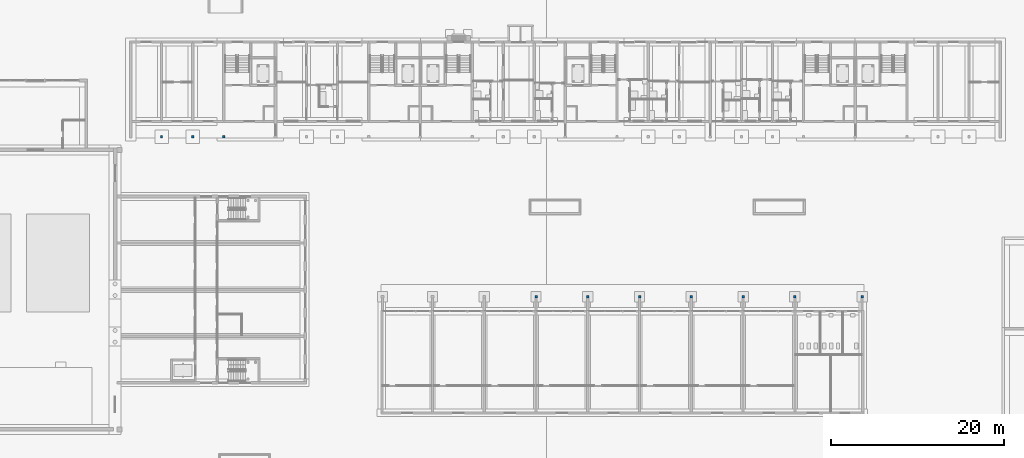
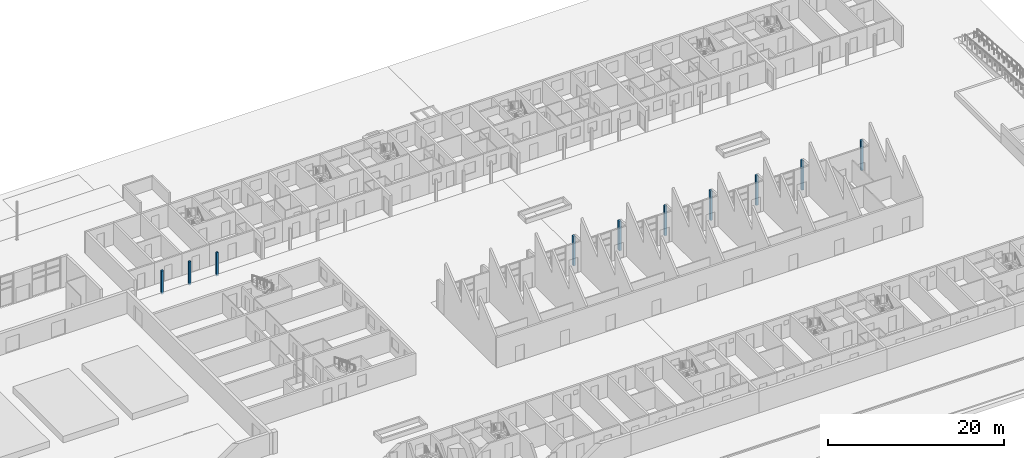
# One storey, part 15 of 112: 10 columns.
"""IFC4 building model written with IfcOpenShell, lengths in metres."""

from ifc_helpers import new_model, si_unit, direction, frame, origin, origin_2d, place, context, subcontext, project, spatial, rectangle, extrude, material, material_profile, profile_set, type_object, element, save


model = new_model("IFC4")

# Units and contexts
model_context = context("Model", 3, precision=1e-05, world=origin(), true_north=direction((0.0, 1.0)))
body_context = subcontext(model_context, "Body", "Model", "MODEL_VIEW")
ifc_project = project(units=[si_unit("LENGTHUNIT", "METRE"), si_unit("AREAUNIT", "SQUARE_METRE"), si_unit("VOLUMEUNIT", "CUBIC_METRE"), si_unit("PLANEANGLEUNIT", "RADIAN"), si_unit("MASSUNIT", "GRAM", prefix="KILO")], contexts=[model_context])

# Site, building, storey
site_placement = place(None, origin())
site = spatial("IfcSite", under=ifc_project, at=site_placement, CompositionType="ELEMENT")
building_placement = place(site_placement, origin())
building = spatial("IfcBuilding", under=site, at=building_placement, Name="Ridgestep Commons", CompositionType="ELEMENT")
storey_placement = place(building_placement, origin())
storey = spatial("IfcBuildingStorey", under=building, at=storey_placement, Name="L00", CompositionType="ELEMENT", Elevation=0.0)

# Columns
ifc_material_1 = material(Name="Precast concrete C40/50", Category="concrete")
ifc_material_profile_1 = material_profile(ifc_material_1, rectangle(XDim=0.300048828125, YDim=0.300048828125, at=origin_2d()), Name="Arcade column 300 x 300")
ifc_profile_set_1 = profile_set([ifc_material_profile_1], Name="Precast concrete C40/50")
column_type_1 = type_object("IfcColumnType", Name="Arcade column 300 x 300", PredefinedType="COLUMN", material=ifc_profile_set_1)
for number, where, z_axis, x_axis, name in (
    (1, (193.800048828125, 47.60009765625, -0.25), (0.0, 0.0, 1.0), (1.0, 0.0, 0.0), "Arcade column"),
    (2, (199.800048828125, 47.60009765625, -0.25), (0.0, 0.0, 1.0), (1.0, 0.0, 0.0), "Arcade column"),
    (3, (205.800048828125, 47.60009765625, -0.25), (0.0, 0.0, 1.0), (1.0, 0.0, 0.0), "Arcade column"),
    (4, (211.800048828125, 47.60009765625, -0.25), (0.0, 0.0, 1.0), (1.0, 0.0, 0.0), "Arcade column"),
    (5, (217.800048828125, 47.60009765625, -0.25), (0.0, 0.0, 1.0), (1.0, 0.0, 0.0), "Arcade column"),
    (6, (223.800048828125, 47.60009765625, -0.25), (0.0, 0.0, 1.0), (1.0, 0.0, 0.0), "Arcade column"),
    (7, (231.60009765625, 47.60009765625, -0.25), (0.0, 0.0, 1.0), (1.0, 0.0, 0.0), "Arcade column"),
):
    element("IfcColumn", number, at=place(storey_placement, frame(where, z_axis=z_axis, x_axis=x_axis)), inside=storey, type_object=column_type_1, Name=name, PredefinedType="COLUMN", context=body_context, shape_type="SweptSolid", body=[
        extrude(rectangle(XDim=0.300048828125, YDim=0.300048828125, at=origin_2d()), origin(), (0.0, 0.0, 1.0), 4.12939453125),
    ])
ifc_material_2 = material(Name="Precast concrete C40/50", Category="concrete")
ifc_material_profile_2 = material_profile(ifc_material_2, rectangle(XDim=0.25, YDim=0.25, at=origin_2d()), Name="PC 250x250")
ifc_profile_set_2 = profile_set([ifc_material_profile_2], Name="Precast concrete C40/50")
column_type_2 = type_object("IfcColumnType", Name="Loggia column 250 x 250", PredefinedType="COLUMN", material=ifc_profile_set_2)
for number, where, z_axis, x_axis, name in (
    (8, (150.39990234375, 66.125, -0.25), (0.0, 0.0, 1.0), (1.0, 0.0, 0.0), "Loggia column C L00"),
    (9, (154.0, 66.125, -0.25), (0.0, 0.0, 1.0), (1.0, 0.0, 0.0), "Loggia column C L00"),
    (10, (157.60009765625, 66.125, -0.25), (0.0, 0.0, 1.0), (1.0, 0.0, 0.0), "Loggia column C L00"),
):
    element("IfcColumn", number, at=place(storey_placement, frame(where, z_axis=z_axis, x_axis=x_axis)), inside=storey, type_object=column_type_2, Name=name, PredefinedType="COLUMN", context=body_context, shape_type="SweptSolid", body=[
        extrude(rectangle(XDim=0.25, YDim=0.25, at=origin_2d()), origin(), (0.0, 0.0, 1.0), 3.25),
    ])

save(model, "model.ifc")
